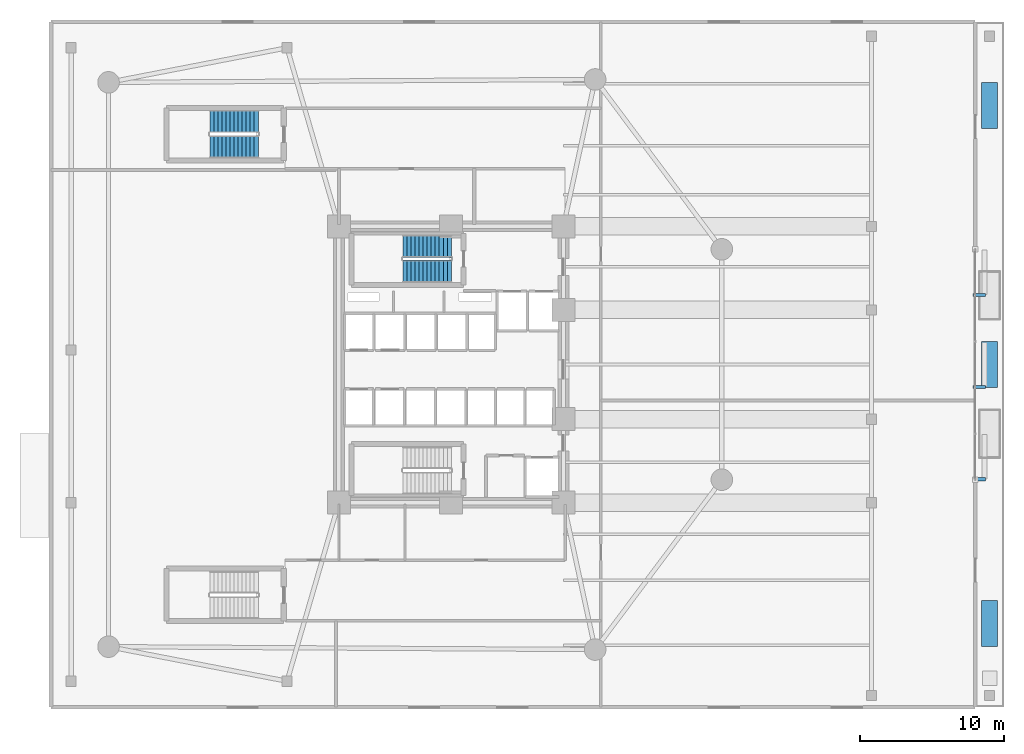
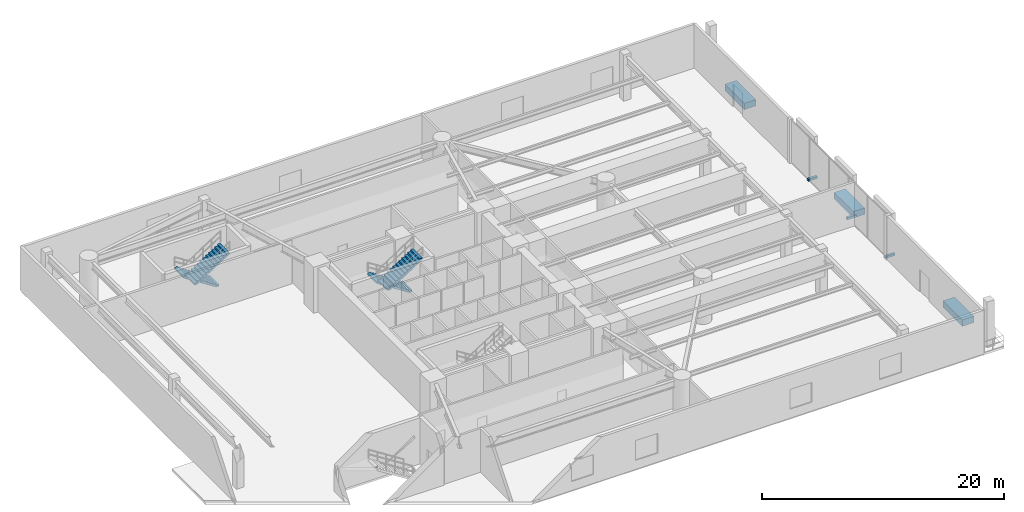
# One storey, part 8 of 11: 6 discrete accessories, 4 stair flights, 2 elements without a shape of their own.
"""IFC4 building model written with IfcOpenShell, lengths in metres."""

from ifc_helpers import new_model, si_unit, direction, frame, origin, origin_2d, place, context, subcontext, project, spatial, polyline, rectangle, outline, extrude, material, type_object, element, aggregate, save


model = new_model("IFC4")

# Units and contexts
model_context = context("Model", 3, precision=1e-05, world=origin(), true_north=direction((0.0, 1.0)))
body_context = subcontext(model_context, "Body", "Model", "MODEL_VIEW")
ifc_project = project(units=[si_unit("LENGTHUNIT", "METRE"), si_unit("AREAUNIT", "SQUARE_METRE"), si_unit("VOLUMEUNIT", "CUBIC_METRE"), si_unit("PLANEANGLEUNIT", "RADIAN"), si_unit("MASSUNIT", "GRAM", prefix="KILO")], contexts=[model_context])

# Site, building, storey
site_placement = place(None, origin())
site = spatial("IfcSite", under=ifc_project, at=site_placement, CompositionType="ELEMENT")
building_placement = place(site_placement, origin())
building = spatial("IfcBuilding", under=site, at=building_placement, Name="An Khanh Terracotta Commons", CompositionType="ELEMENT")
storey_placement = place(building_placement, frame((0.0, 0.0, 19.35009765625)))
storey = spatial("IfcBuildingStorey", under=building, at=storey_placement, Name="L05", CompositionType="ELEMENT", Elevation=19.35009765625)

# Stair, stair flights
ifc_material_1 = material(Name="Precast concrete C40/50", Category="concrete")
stair_type_1 = type_object("IfcStairType", Name="STAIR-CORE-1550", PredefinedType="HALF_TURN_STAIR", material=ifc_material_1)
stair_1_placement = place(storey_placement, origin())
stair_1 = element("IfcStair", 1, at=stair_1_placement, inside=storey, type_object=stair_type_1, Name="L05 Core Smokeproof Exit Stair ST-01", PredefinedType="HALF_TURN_STAIR")
stair_flight_type_1 = type_object("IfcStairFlightType", Name="FLIGHT-CORE-1550", PredefinedType="STRAIGHT", material=ifc_material_1)
stair_flight_1_placement = place(storey_placement, frame((29.409912109375, 32.22509765625, 0.0), z_axis=(0.0, 0.0, 1.0), x_axis=(-1.0, 0.0, 0.0)))
stair_flight_1 = element("IfcStairFlight", 2, at=stair_flight_1_placement, type_object=stair_flight_type_1, Name="ST-01 flight 1", NumberOfRisers=13, NumberOfTreads=12, PredefinedType="STRAIGHT", RiserHeight=0.178846154, TreadLength=0.28, context=body_context, shape_type="SweptSolid", body=[
    extrude(outline(polyline([(0.0, 0.0), (0.0, 0.178955078125), (0.280029296875, 0.178955078125), (0.280029296875, 0.357666015625), (0.56005859375, 0.357666015625), (0.56005859375, 0.53662109375), (0.840087890625, 0.53662109375), (0.840087890625, 0.71533203125), (1.1201171875, 0.71533203125), (1.1201171875, 0.894287109375), (1.39990234375, 0.894287109375), (1.39990234375, 1.072998046875), (1.679931640625, 1.072998046875), (1.679931640625, 1.251953125), (1.9599609375, 1.251953125), (1.9599609375, 1.4306640625), (2.239990234375, 1.4306640625), (2.239990234375, 1.609619140625), (2.52001953125, 1.609619140625), (2.52001953125, 1.78857421875), (2.800048828125, 1.78857421875), (2.800048828125, 1.96728515625), (3.080078125, 1.96728515625), (3.080078125, 2.146240234375), (3.360107421875, 2.146240234375), (3.360107421875, 2.324951171875), (3.360107421875, 1.96826171875), (0.278564453125, 0.0), (0.0, 0.0)])), frame((0.0, 0.77490234375, 0.0), z_axis=(0.0, -1.0, 0.0), x_axis=(1.0, 0.0, 0.0)), (0.0, 0.0, 1.0), 1.550048828125),
])
stair_flight_2_placement = place(storey_placement, frame((26.050048828125, 30.47509765625, 2.324951171875), z_axis=(0.0, 0.0, 1.0), x_axis=(1.0, 0.0, 0.0)))
stair_flight_2 = element("IfcStairFlight", 3, at=stair_flight_2_placement, type_object=stair_flight_type_1, Name="ST-01 flight 2", NumberOfRisers=13, NumberOfTreads=12, PredefinedType="STRAIGHT", RiserHeight=0.178846154, TreadLength=0.28, context=body_context, shape_type="SweptSolid", body=[
    extrude(outline(polyline([(0.0, 0.0), (0.0, 0.178955078125), (0.280029296875, 0.178955078125), (0.280029296875, 0.357666015625), (0.56005859375, 0.357666015625), (0.56005859375, 0.53662109375), (0.840087890625, 0.53662109375), (0.840087890625, 0.71533203125), (1.1201171875, 0.71533203125), (1.1201171875, 0.894287109375), (1.39990234375, 0.894287109375), (1.39990234375, 1.072998046875), (1.679931640625, 1.072998046875), (1.679931640625, 1.251953125), (1.9599609375, 1.251953125), (1.9599609375, 1.4306640625), (2.239990234375, 1.4306640625), (2.239990234375, 1.609619140625), (2.52001953125, 1.609619140625), (2.52001953125, 1.78857421875), (2.800048828125, 1.78857421875), (2.800048828125, 1.96728515625), (3.080078125, 1.96728515625), (3.080078125, 2.146240234375), (3.360107421875, 2.146240234375), (3.360107421875, 2.324951171875), (3.360107421875, 1.96826171875), (0.278564453125, 0.0), (0.0, 0.0)])), frame((0.0, 0.77490234375, 0.0), z_axis=(0.0, -1.0, 0.0), x_axis=(1.0, 0.0, 0.0)), (0.0, 0.0, 1.0), 1.550048828125),
])
aggregate(stair_1, [stair_flight_1, stair_flight_2])

ifc_material_2 = material(Name="Concrete C40/50", Category="concrete")
stair_type_2 = type_object("IfcStairType", Name="STAIR-POD-1550", PredefinedType="HALF_TURN_STAIR", material=ifc_material_2)
stair_2_placement = place(storey_placement, origin())
stair_2 = element("IfcStair", 4, at=stair_2_placement, inside=storey, type_object=stair_type_2, Name="L05 Podium Commons Exit Stair ST-P2", PredefinedType="HALF_TURN_STAIR")
stair_flight_type_2 = type_object("IfcStairFlightType", Name="FLIGHT-POD-1550", PredefinedType="STRAIGHT", material=ifc_material_2)
stair_flight_3_placement = place(storey_placement, frame((16.0, 40.875, 0.0), z_axis=(0.0, 0.0, 1.0), x_axis=(-1.0, 0.0, 0.0)))
stair_flight_3 = element("IfcStairFlight", 5, at=stair_flight_3_placement, type_object=stair_flight_type_2, Name="ST-P2 flight 1", NumberOfRisers=13, NumberOfTreads=12, PredefinedType="STRAIGHT", RiserHeight=0.178846154, TreadLength=0.28, context=body_context, shape_type="SweptSolid", body=[
    extrude(outline(polyline([(0.0, 0.0), (0.0, 0.178955078125), (0.280029296875, 0.178955078125), (0.280029296875, 0.357666015625), (0.56005859375, 0.357666015625), (0.56005859375, 0.53662109375), (0.840087890625, 0.53662109375), (0.840087890625, 0.71533203125), (1.1201171875, 0.71533203125), (1.1201171875, 0.894287109375), (1.39990234375, 0.894287109375), (1.39990234375, 1.072998046875), (1.679931640625, 1.072998046875), (1.679931640625, 1.251953125), (1.9599609375, 1.251953125), (1.9599609375, 1.4306640625), (2.239990234375, 1.4306640625), (2.239990234375, 1.609619140625), (2.52001953125, 1.609619140625), (2.52001953125, 1.78857421875), (2.800048828125, 1.78857421875), (2.800048828125, 1.96728515625), (3.080078125, 1.96728515625), (3.080078125, 2.146240234375), (3.360107421875, 2.146240234375), (3.360107421875, 2.324951171875), (3.360107421875, 1.96826171875), (0.278564453125, 0.0), (0.0, 0.0)])), frame((0.0, 0.77490234375, 0.0), z_axis=(0.0, -1.0, 0.0), x_axis=(1.0, 0.0, 0.0)), (0.0, 0.0, 1.0), 1.550048828125),
])
stair_flight_4_placement = place(storey_placement, frame((12.639892578125, 39.125, 2.324951171875), z_axis=(0.0, 0.0, 1.0), x_axis=(1.0, 0.0, 0.0)))
stair_flight_4 = element("IfcStairFlight", 6, at=stair_flight_4_placement, type_object=stair_flight_type_2, Name="ST-P2 flight 2", NumberOfRisers=13, NumberOfTreads=12, PredefinedType="STRAIGHT", RiserHeight=0.178846154, TreadLength=0.28, context=body_context, shape_type="SweptSolid", body=[
    extrude(outline(polyline([(0.0, 0.0), (0.0, 0.178955078125), (0.280029296875, 0.178955078125), (0.280029296875, 0.357666015625), (0.56005859375, 0.357666015625), (0.56005859375, 0.53662109375), (0.840087890625, 0.53662109375), (0.840087890625, 0.71533203125), (1.1201171875, 0.71533203125), (1.1201171875, 0.894287109375), (1.39990234375, 0.894287109375), (1.39990234375, 1.072998046875), (1.679931640625, 1.072998046875), (1.679931640625, 1.251953125), (1.9599609375, 1.251953125), (1.9599609375, 1.4306640625), (2.239990234375, 1.4306640625), (2.239990234375, 1.609619140625), (2.52001953125, 1.609619140625), (2.52001953125, 1.78857421875), (2.800048828125, 1.78857421875), (2.800048828125, 1.96728515625), (3.080078125, 1.96728515625), (3.080078125, 2.146240234375), (3.360107421875, 2.146240234375), (3.360107421875, 2.324951171875), (3.360107421875, 1.96826171875), (0.278564453125, 0.0), (0.0, 0.0)])), frame((0.0, 0.77490234375, 0.0), z_axis=(0.0, -1.0, 0.0), x_axis=(1.0, 0.0, 0.0)), (0.0, 0.0, 1.0), 1.550048828125),
])
aggregate(stair_2, [stair_flight_3, stair_flight_4])

# Discrete accessories
ifc_material_3 = material(Name="Stainless Steel Grade 316L", Category="steel")
discrete_accessory_type_1 = type_object("IfcDiscreteAccessoryType", Name="Stainless Outrigger Facade Bracket", PredefinedType="BRACKET", material=ifc_material_3)
for number, where, z_axis, x_axis, name in (
    (7, (66.06494140625, 16.031982421875, 0.06982421875), (0.0, 0.0, 1.0), (0.0, 1.0, 0.0), "L05 Terracotta Screen Outrigger Bracket 1"),
    (8, (66.06494140625, 22.43310546875, 0.06982421875), (0.0, 0.0, 1.0), (0.0, 1.0, 0.0), "L05 Terracotta Screen Outrigger Bracket 3"),
    (9, (66.06494140625, 28.8330078125, 0.06982421875), (0.0, 0.0, 1.0), (0.0, 1.0, 0.0), "L05 Terracotta Screen Outrigger Bracket 5"),
):
    element("IfcDiscreteAccessory", number, at=place(storey_placement, frame(where, z_axis=z_axis, x_axis=x_axis)), inside=storey, type_object=discrete_accessory_type_1, Name=name, PredefinedType="BRACKET", context=body_context, shape_type="SweptSolid", body=[
        extrude(rectangle(XDim=0.219970703125, YDim=0.8701171875, at=origin_2d()), origin(), (0.0, 0.0, 1.0), 0.219970703125),
    ])
ifc_material_4 = material(Name="Planted Garden Soil Substrate in Precast GRC", Category="concrete")
discrete_accessory_type_2 = type_object("IfcDiscreteAccessoryType", Name="Terrace Garden Planter", PredefinedType="USERDEFINED", material=ifc_material_4)
for number, where, z_axis, x_axis, name in (
    (10, (66.800048828125, 6.0, 0.0), (0.0, 0.0, 1.0), (1.0, 0.0, 0.0), "L05 Terrace Garden Planter 1"),
    (11, (66.800048828125, 24.0, 0.0), (0.0, 0.0, 1.0), (1.0, 0.0, 0.0), "L05 Terrace Garden Planter 2"),
    (12, (66.800048828125, 42.0, 0.0), (0.0, 0.0, 1.0), (1.0, 0.0, 0.0), "L05 Terrace Garden Planter 3"),
):
    element("IfcDiscreteAccessory", number, at=place(storey_placement, frame(where, z_axis=z_axis, x_axis=x_axis)), inside=storey, type_object=discrete_accessory_type_2, Name=name, ObjectType="PLANTER", PredefinedType="USERDEFINED", context=body_context, shape_type="SweptSolid", body=[
        extrude(rectangle(XDim=1.10009765625, YDim=3.199951171875, at=origin_2d()), origin(), (0.0, 0.0, 1.0), 0.64990234375),
    ])

save(model, "model.ifc")
